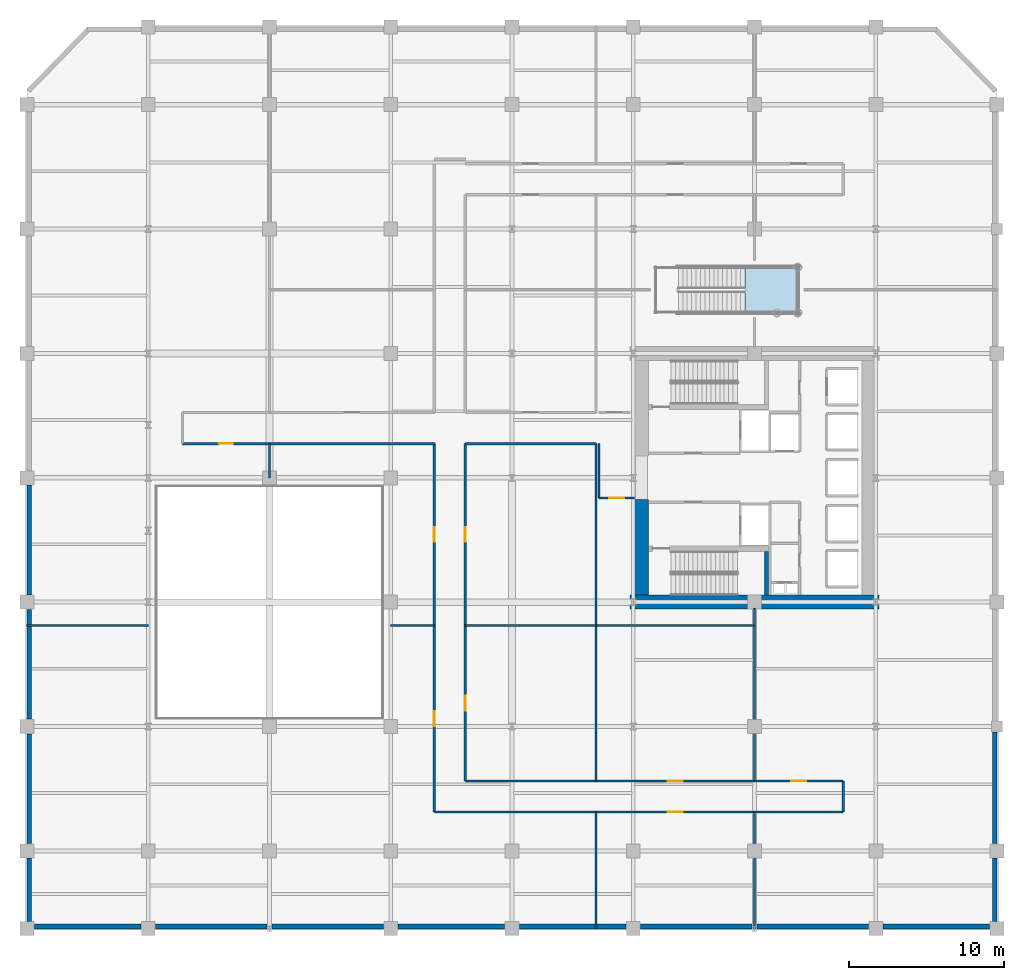
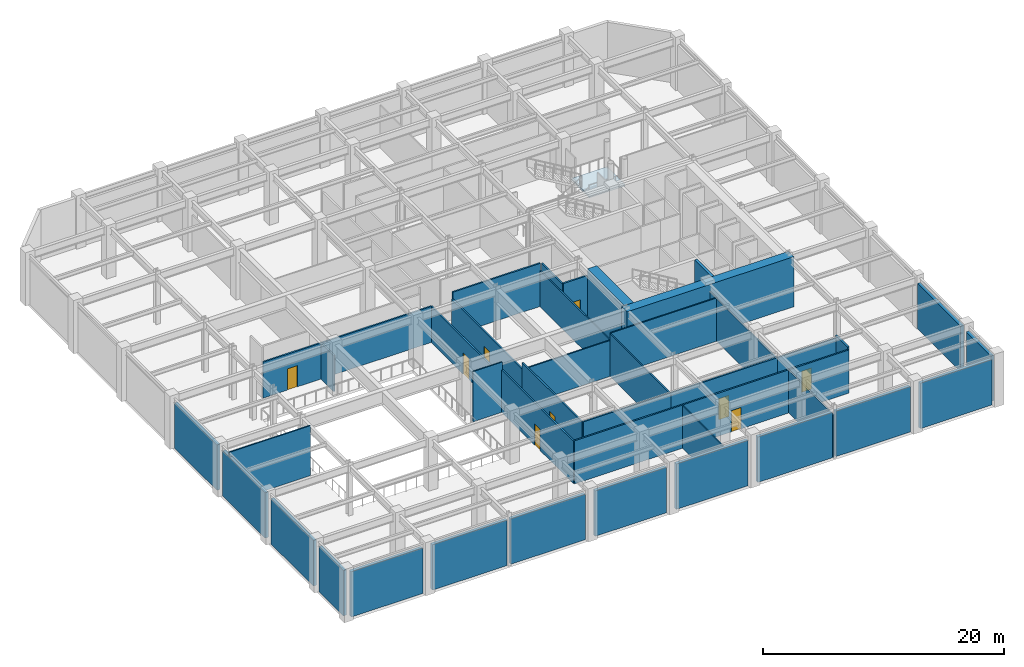
# One storey, part 8 of 13: 44 walls, 9 doors, 1 slab, 9 openings, 1 element without a shape of its own.
"""IFC4 building model written with IfcOpenShell, lengths in metres."""

from ifc_helpers import new_model, si_unit, direction, frame, frame_2d, origin, place, context, subcontext, project, spatial, polyline, rectangle, outline, extrude, material, layer, layer_set, type_object, element, fill, aggregate, save


model = new_model("IFC4")

# Units and contexts
model_context = context("Model", 3, precision=1e-05, world=origin(), true_north=direction((0.0, 1.0)))
body_context = subcontext(model_context, "Body", "Model", "MODEL_VIEW")
ifc_project = project(units=[si_unit("LENGTHUNIT", "METRE"), si_unit("AREAUNIT", "SQUARE_METRE"), si_unit("VOLUMEUNIT", "CUBIC_METRE"), si_unit("PLANEANGLEUNIT", "RADIAN"), si_unit("MASSUNIT", "GRAM", prefix="KILO")], contexts=[model_context])

# Site, building, storey
site_placement = place(None, origin())
site = spatial("IfcSite", under=ifc_project, at=site_placement, CompositionType="ELEMENT")
building_placement = place(site_placement, origin())
building = spatial("IfcBuilding", under=site, at=building_placement, Name="Veymaron Broadcast Tower", CompositionType="ELEMENT")
storey_placement = place(building_placement, frame((0.0, 0.0, 21.60009765625)))
storey = spatial("IfcBuildingStorey", under=building, at=storey_placement, Name="L04", CompositionType="ELEMENT", Elevation=21.60009765625)

# Stair, slab
ifc_material_1 = material(Name="Structural steel ASTM A992 Gr 50", Category="steel")
stair_type = type_object("IfcStairType", Name="STAIR-FEAT-01", PredefinedType="HALF_TURN_STAIR", material=ifc_material_1)
stair_placement = place(storey_placement, origin())
stair = element("IfcStair", 1, at=stair_placement, inside=storey, type_object=stair_type, Name="L04 Waterfront concourse monumental feature stair STF1", PredefinedType="HALF_TURN_STAIR")
ifc_material_2 = material(Name="Concrete C50/60", Category="concrete")
ifc_layer_1 = layer(ifc_material_2, 0.199951171875)
ifc_layer_set_1 = layer_set([ifc_layer_1], Name="Concrete C50/60")
slab_type = type_object("IfcSlabType", Name="SLAB-STAIR-LDG", PredefinedType="LANDING", material=ifc_layer_set_1)
slab_placement = place(storey_placement, frame((0.0, 0.0, 2.5)))
slab = element("IfcSlab", 2, at=slab_placement, type_object=slab_type, Name="STF1 landing 1", PredefinedType="LANDING", context=body_context, shape_type="SweptSolid", body=[
    extrude(outline(polyline([(46.175048828125, 34.60009765625), (49.60009765625, 34.60009765625), (49.60009765625, 37.56005859375), (46.175048828125, 37.56005859375), (46.175048828125, 34.60009765625)])), origin(), (0.0, 0.0, 1.0), 0.199951171875),
])
aggregate(stair, [slab])

# Walls
ifc_material_3 = material(Name="Precast concrete C40/50 with mineral-wool insulation", Category="concrete")
ifc_layer_2 = layer(ifc_material_3, 0.300048828125)
ifc_layer_set_2 = layer_set([ifc_layer_2], Name="Precast concrete C40/50 with mineral-wool insulation")
wall_type_1 = type_object("IfcWallType", Name="WALL-EXT-300", PredefinedType="STANDARD", material=ifc_layer_set_2)
wall_1_placement = place(storey_placement, frame((0.468017578125, -4.860107421875, 0.0), z_axis=(0.0, 0.0, 1.0), x_axis=(1.0, 0.0, 0.0)))
element("IfcWall", 3, at=wall_1_placement, inside=storey, type_object=wall_type_1, Name="L04 notched corner facade pier 1-1", PredefinedType="STANDARD", context=body_context, shape_type="SweptSolid", body=[
    extrude(rectangle(XDim=6.864013671875, YDim=0.300048828125, at=frame_2d((3.43212890625, 0.0))), origin(), (0.0, 0.0, 1.0), 4.60791015625),
])
for number, where, z_axis, x_axis, name in (
    (4, (8.26806640625, -4.860107421875, 0.0), (0.0, 0.0, 1.0), (1.0, 0.0, 0.0), "L04 notched corner facade pier 1-2"),
    (5, (15.771484375, -4.860107421875, 0.0), (0.0, 0.0, 1.0), (1.0, 0.0, 0.0), "L04 notched corner facade pier 1-3"),
):
    element("IfcWall", number, at=place(storey_placement, frame(where, z_axis=z_axis, x_axis=x_axis)), inside=storey, type_object=wall_type_1, Name=name, PredefinedType="STANDARD", context=body_context, shape_type="SweptSolid", body=[
        extrude(rectangle(XDim=7.160400390625, YDim=0.300048828125, at=frame_2d((3.580078125, 0.0))), origin(), (0.0, 0.0, 1.0), 4.60791015625),
    ])
for number, where, z_axis, x_axis, name in (
    (6, (23.867919921875, -4.860107421875, 0.0), (0.0, 0.0, 1.0), (1.0, 0.0, 0.0), "L04 notched corner facade pier 1-4"),
    (7, (31.66796875, -4.860107421875, 0.0), (0.0, 0.0, 1.0), (1.0, 0.0, 0.0), "L04 notched corner facade pier 1-5"),
):
    element("IfcWall", number, at=place(storey_placement, frame(where, z_axis=z_axis, x_axis=x_axis)), inside=storey, type_object=wall_type_1, Name=name, PredefinedType="STANDARD", context=body_context, shape_type="SweptSolid", body=[
        extrude(rectangle(XDim=6.864013671875, YDim=0.300048828125, at=frame_2d((3.43212890625, 0.0))), origin(), (0.0, 0.0, 1.0), 4.60791015625),
    ])
wall_2_placement = place(storey_placement, frame((39.468017578125, -4.860107421875, 0.0), z_axis=(0.0, 0.0, 1.0), x_axis=(1.0, 0.0, 0.0)))
element("IfcWall", 8, at=wall_2_placement, inside=storey, type_object=wall_type_1, Name="L04 notched corner facade pier 1-6", PredefinedType="STANDARD", context=body_context, shape_type="SweptSolid", body=[
    extrude(rectangle(XDim=7.160400390625, YDim=0.300048828125, at=frame_2d((3.580078125, 0.0))), origin(), (0.0, 0.0, 1.0), 4.60791015625),
])
wall_3_placement = place(storey_placement, frame((46.971435546875, -4.860107421875, 0.0), z_axis=(0.0, 0.0, 1.0), x_axis=(1.0, 0.0, 0.0)))
element("IfcWall", 9, at=wall_3_placement, inside=storey, type_object=wall_type_1, Name="L04 notched corner facade pier 1-7", PredefinedType="STANDARD", context=body_context, shape_type="SweptSolid", body=[
    extrude(rectangle(XDim=7.16064453125, YDim=0.300048828125, at=frame_2d((3.580322265625, 0.0))), origin(), (0.0, 0.0, 1.0), 4.60791015625),
])
wall_4_placement = place(storey_placement, frame((55.068115234375, -4.860107421875, 0.0), z_axis=(0.0, 0.0, 1.0), x_axis=(1.0, 0.0, 0.0)))
element("IfcWall", 10, at=wall_4_placement, inside=storey, type_object=wall_type_1, Name="L04 notched corner facade pier 1-8", PredefinedType="STANDARD", context=body_context, shape_type="SweptSolid", body=[
    extrude(rectangle(XDim=6.86376953125, YDim=0.300048828125, at=frame_2d((3.431884765625, 0.0))), origin(), (0.0, 0.0, 1.0), 4.60791015625),
])
wall_5_placement = place(storey_placement, frame((62.260009765625, -4.531982421875, 0.0), z_axis=(0.0, 0.0, 1.0), x_axis=(0.0, 1.0, 0.0)))
element("IfcWall", 11, at=wall_5_placement, inside=storey, type_object=wall_type_1, Name="L04 notched corner facade pier 2-1", PredefinedType="STANDARD", context=body_context, shape_type="SweptSolid", body=[
    extrude(rectangle(XDim=4.06396484375, YDim=0.300048828125, at=frame_2d((2.031982421875, 0.0))), origin(), (0.0, 0.0, 1.0), 4.60791015625),
])
wall_6_placement = place(storey_placement, frame((62.260009765625, 0.468017578125, 0.0), z_axis=(0.0, 0.0, 1.0), x_axis=(0.0, 1.0, 0.0)))
element("IfcWall", 12, at=wall_6_placement, inside=storey, type_object=wall_type_1, Name="L04 notched corner facade pier 2-2", PredefinedType="STANDARD", context=body_context, shape_type="SweptSolid", body=[
    extrude(rectangle(XDim=7.1640625, YDim=0.300048828125, at=frame_2d((3.58203125, 0.0))), origin(), (0.0, 0.0, 1.0), 4.60791015625),
])
for number, where, z_axis, x_axis, name in (
    (13, (0.139892578125, 23.531982421875, 0.0), (0.0, 0.0, 1.0), (0.0, -1.0, 0.0), "L04 notched corner facade pier 6-4"),
    (14, (0.139892578125, 15.531982421875, 0.0), (0.0, 0.0, 1.0), (0.0, -1.0, 0.0), "L04 notched corner facade pier 6-5"),
    (15, (0.139892578125, 7.531982421875, 0.0), (0.0, 0.0, 1.0), (0.0, -1.0, 0.0), "L04 notched corner facade pier 6-6"),
):
    element("IfcWall", number, at=place(storey_placement, frame(where, z_axis=z_axis, x_axis=x_axis)), inside=storey, type_object=wall_type_1, Name=name, PredefinedType="STANDARD", context=body_context, shape_type="SweptSolid", body=[
        extrude(rectangle(XDim=7.06396484375, YDim=0.300048828125, at=frame_2d((3.531982421875, 0.0))), origin(), (0.0, 0.0, 1.0), 4.60791015625),
    ])
wall_7_placement = place(storey_placement, frame((0.139892578125, -0.468017578125, 0.0), z_axis=(0.0, 0.0, 1.0), x_axis=(0.0, -1.0, 0.0)))
element("IfcWall", 16, at=wall_7_placement, inside=storey, type_object=wall_type_1, Name="L04 notched corner facade pier 6-7", PredefinedType="STANDARD", context=body_context, shape_type="SweptSolid", body=[
    extrude(rectangle(XDim=4.06396484375, YDim=0.300048828125, at=frame_2d((2.031982421875, 0.0))), origin(), (0.0, 0.0, 1.0), 4.60791015625),
])

# Wall, opening, door
ifc_material_4 = material(Name="Gypsum fireboard and steel stud framing", Category="steel")
ifc_layer_3 = layer(ifc_material_4, 0.14990234375)
ifc_layer_set_3 = layer_set([ifc_layer_3], Name="Gypsum fireboard and steel stud framing")
wall_type_2 = type_object("IfcWallType", Name="WALL-FIRE-150", PredefinedType="PARTITIONING", material=ifc_layer_set_3)
wall_8_placement = place(storey_placement, frame((36.60009765625, 2.5, 0.0), z_axis=(0.0, 0.0, 1.0), x_axis=(1.0, 0.0, 0.0)))
wall_8 = element("IfcWall", 17, at=wall_8_placement, inside=storey, type_object=wall_type_2, Name="L04 partition IW-L04-P01", PredefinedType="PARTITIONING", context=body_context, shape_type="SweptSolid", body=[
    extrude(rectangle(XDim=10.199951171875, YDim=0.14990234375, at=frame_2d((5.10009765625, 0.0))), origin(), (0.0, 0.0, 1.0), 4.375),
])
opening_1_placement = place(wall_8_placement, frame((4.625, 0.0, 0.0)))
opening_1 = element("IfcOpeningElement", 18, at=opening_1_placement, cuts=wall_8, Name="Opening ID-RM1", PredefinedType="OPENING", context=body_context, shape_type="SweptSolid", body=[
    extrude(rectangle(XDim=0.949951171875, YDim=2.14990234375, at=frame_2d((0.47509765625, 1.074951171875))), frame((0.0, 0.0849609375, 0.0), z_axis=(0.0, -1.0, 0.0), x_axis=(1.0, 0.0, 0.0)), (0.0, 0.0, 1.0), 0.169921875),
])
ifc_material_5 = material(Name="Acoustic solid-core European oak veneer timber", Category="wood")
door_type = type_object("IfcDoorType", Name="DOOR-INT-950", OperationType="NOTDEFINED", PredefinedType="DOOR", material=ifc_material_5)
door_1_placement = place(opening_1_placement, frame((0.949951171875, 0.0, 0.0), z_axis=(0.0, 0.0, 1.0), x_axis=(-1.0, 0.0, 0.0)))
door_1 = element("IfcDoor", 19, at=door_1_placement, inside=storey, type_object=door_type, Name="L04 door DR-L04-P01", OperationType="SINGLE_SWING_RIGHT", OverallHeight=2.14990234375, OverallWidth=0.949951171875, PredefinedType="DOOR", context=body_context, shape_type="SweptSolid", body=[
    extrude(rectangle(XDim=0.949951171875, YDim=2.14990234375, at=frame_2d((0.47509765625, 1.074951171875))), frame((0.0, 0.02490234375, 0.0), z_axis=(0.0, -1.0, 0.0), x_axis=(1.0, 0.0, 0.0)), (0.0, 0.0, 1.0), 0.050048828125),
])
fill(opening_1, door_1)

wall_9_placement = place(storey_placement, frame((26.199951171875, 2.5, 0.0), z_axis=(0.0, 0.0, 1.0), x_axis=(0.0, 1.0, 0.0)))
wall_9 = element("IfcWall", 20, at=wall_9_placement, inside=storey, type_object=wall_type_2, Name="L04 partition IW-L04-P02", PredefinedType="PARTITIONING", context=body_context, shape_type="SweptSolid", body=[
    extrude(rectangle(XDim=12.0, YDim=0.14990234375, at=frame_2d((6.0, 0.0))), origin(), (0.0, 0.0, 1.0), 4.2978515625),
])
opening_2_placement = place(wall_9_placement, frame((5.52490234375, 0.0, 0.0)))
opening_2 = element("IfcOpeningElement", 21, at=opening_2_placement, cuts=wall_9, Name="Opening ID-RM1", PredefinedType="OPENING", context=body_context, shape_type="SweptSolid", body=[
    extrude(rectangle(XDim=0.949951171875, YDim=2.14990234375, at=frame_2d((0.47509765625, 1.074951171875))), frame((0.0, 0.0849609375, 0.0), z_axis=(0.0, -1.0, 0.0), x_axis=(1.0, 0.0, 0.0)), (0.0, 0.0, 1.0), 0.169921875),
])
door_2_placement = place(opening_2_placement, origin())
door_2 = element("IfcDoor", 22, at=door_2_placement, inside=storey, type_object=door_type, Name="L04 door DR-L04-P02", OperationType="SINGLE_SWING_LEFT", OverallHeight=2.14990234375, OverallWidth=0.949951171875, PredefinedType="DOOR", context=body_context, shape_type="SweptSolid", body=[
    extrude(rectangle(XDim=0.949951171875, YDim=2.14990234375, at=frame_2d((0.47509765625, 1.074951171875))), frame((0.0, 0.02490234375, 0.0), z_axis=(0.0, -1.0, 0.0), x_axis=(1.0, 0.0, 0.0)), (0.0, 0.0, 1.0), 0.050048828125),
])
fill(opening_2, door_2)

wall_10_placement = place(storey_placement, frame((28.199951171875, 4.5, 0.0), z_axis=(0.0, 0.0, 1.0), x_axis=(0.0, 1.0, 0.0)))
wall_10 = element("IfcWall", 23, at=wall_10_placement, inside=storey, type_object=wall_type_2, Name="L04 partition IW-L04-P04", PredefinedType="PARTITIONING", context=body_context, shape_type="SweptSolid", body=[
    extrude(rectangle(XDim=10.0, YDim=0.14990234375, at=frame_2d((5.0, 0.0))), origin(), (0.0, 0.0, 1.0), 4.2978515625),
])
opening_3_placement = place(wall_10_placement, frame((4.52490234375, 0.0, 0.0)))
opening_3 = element("IfcOpeningElement", 24, at=opening_3_placement, cuts=wall_10, Name="Opening ID-RM1", PredefinedType="OPENING", context=body_context, shape_type="SweptSolid", body=[
    extrude(rectangle(XDim=0.949951171875, YDim=2.14990234375, at=frame_2d((0.47509765625, 1.074951171875))), frame((0.0, 0.0849609375, 0.0), z_axis=(0.0, -1.0, 0.0), x_axis=(1.0, 0.0, 0.0)), (0.0, 0.0, 1.0), 0.169921875),
])
door_3_placement = place(opening_3_placement, frame((0.949951171875, 0.0, 0.0), z_axis=(0.0, 0.0, 1.0), x_axis=(-1.0, 0.0, 0.0)))
door_3 = element("IfcDoor", 25, at=door_3_placement, inside=storey, type_object=door_type, Name="L04 door DR-L04-P04", OperationType="SINGLE_SWING_LEFT", OverallHeight=2.14990234375, OverallWidth=0.949951171875, PredefinedType="DOOR", context=body_context, shape_type="SweptSolid", body=[
    extrude(rectangle(XDim=0.949951171875, YDim=2.14990234375, at=frame_2d((0.47509765625, 1.074951171875))), frame((0.0, 0.02490234375, 0.0), z_axis=(0.0, -1.0, 0.0), x_axis=(1.0, 0.0, 0.0)), (0.0, 0.0, 1.0), 0.050048828125),
])
fill(opening_3, door_3)

wall_11_placement = place(storey_placement, frame((36.60009765625, 4.5, 0.0), z_axis=(0.0, 0.0, 1.0), x_axis=(1.0, 0.0, 0.0)))
wall_11 = element("IfcWall", 26, at=wall_11_placement, inside=storey, type_object=wall_type_2, Name="L04 partition IW-L04-P06", PredefinedType="PARTITIONING", context=body_context, shape_type="SweptSolid", body=[
    extrude(rectangle(XDim=10.199951171875, YDim=0.14990234375, at=frame_2d((5.10009765625, 0.0))), origin(), (0.0, 0.0, 1.0), 4.375),
])
opening_4_placement = place(wall_11_placement, frame((4.625, 0.0, 0.0)))
opening_4 = element("IfcOpeningElement", 27, at=opening_4_placement, cuts=wall_11, Name="Opening ID-RM1", PredefinedType="OPENING", context=body_context, shape_type="SweptSolid", body=[
    extrude(rectangle(XDim=0.949951171875, YDim=2.14990234375, at=frame_2d((0.47509765625, 1.074951171875))), frame((0.0, 0.0849609375, 0.0), z_axis=(0.0, -1.0, 0.0), x_axis=(1.0, 0.0, 0.0)), (0.0, 0.0, 1.0), 0.169921875),
])
door_4_placement = place(opening_4_placement, origin())
door_4 = element("IfcDoor", 28, at=door_4_placement, inside=storey, type_object=door_type, Name="L04 door DR-L04-P06", OperationType="SINGLE_SWING_LEFT", OverallHeight=2.14990234375, OverallWidth=0.949951171875, PredefinedType="DOOR", context=body_context, shape_type="SweptSolid", body=[
    extrude(rectangle(XDim=0.949951171875, YDim=2.14990234375, at=frame_2d((0.47509765625, 1.074951171875))), frame((0.0, 0.02490234375, 0.0), z_axis=(0.0, -1.0, 0.0), x_axis=(1.0, 0.0, 0.0)), (0.0, 0.0, 1.0), 0.050048828125),
])
fill(opening_4, door_4)

wall_12_placement = place(storey_placement, frame((46.800048828125, 4.5, 0.0), z_axis=(0.0, 0.0, 1.0), x_axis=(1.0, 0.0, 0.0)))
wall_12 = element("IfcWall", 29, at=wall_12_placement, inside=storey, type_object=wall_type_2, Name="L04 partition IW-L04-P07", PredefinedType="PARTITIONING", context=body_context, shape_type="SweptSolid", body=[
    extrude(rectangle(XDim=5.699951171875, YDim=0.14990234375, at=frame_2d((2.85009765625, 0.0))), origin(), (0.0, 0.0, 1.0), 4.375),
])
opening_5_placement = place(wall_12_placement, frame((2.375, 0.0, 0.0)))
opening_5 = element("IfcOpeningElement", 30, at=opening_5_placement, cuts=wall_12, Name="Opening ID-RM1", PredefinedType="OPENING", context=body_context, shape_type="SweptSolid", body=[
    extrude(rectangle(XDim=0.949951171875, YDim=2.14990234375, at=frame_2d((0.47509765625, 1.074951171875))), frame((0.0, 0.0849609375, 0.0), z_axis=(0.0, -1.0, 0.0), x_axis=(1.0, 0.0, 0.0)), (0.0, 0.0, 1.0), 0.169921875),
])
door_5_placement = place(opening_5_placement, origin())
door_5 = element("IfcDoor", 31, at=door_5_placement, inside=storey, type_object=door_type, Name="L04 door DR-L04-P07", OperationType="SINGLE_SWING_RIGHT", OverallHeight=2.14990234375, OverallWidth=0.949951171875, PredefinedType="DOOR", context=body_context, shape_type="SweptSolid", body=[
    extrude(rectangle(XDim=0.949951171875, YDim=2.14990234375, at=frame_2d((0.47509765625, 1.074951171875))), frame((0.0, 0.02490234375, 0.0), z_axis=(0.0, -1.0, 0.0), x_axis=(1.0, 0.0, 0.0)), (0.0, 0.0, 1.0), 0.050048828125),
])
fill(opening_5, door_5)

wall_13_placement = place(storey_placement, frame((36.800048828125, 22.699951171875, 0.0), z_axis=(0.0, 0.0, 1.0), x_axis=(1.0, 0.0, 0.0)))
wall_13 = element("IfcWall", 32, at=wall_13_placement, inside=storey, type_object=wall_type_2, Name="L04 partition IW-L04-P11", PredefinedType="PARTITIONING", context=body_context, shape_type="SweptSolid", body=[
    extrude(rectangle(XDim=2.280029296875, YDim=0.14990234375, at=frame_2d((1.14013671875, 0.0))), origin(), (0.0, 0.0, 1.0), 4.375),
])
opening_6_placement = place(wall_13_placement, frame((0.6650390625, 0.0, 0.0)))
opening_6 = element("IfcOpeningElement", 33, at=opening_6_placement, cuts=wall_13, Name="Opening ID-RM1", PredefinedType="OPENING", context=body_context, shape_type="SweptSolid", body=[
    extrude(rectangle(XDim=0.949951171875, YDim=2.14990234375, at=frame_2d((0.47509765625, 1.074951171875))), frame((0.0, 0.0849609375, 0.0), z_axis=(0.0, -1.0, 0.0), x_axis=(1.0, 0.0, 0.0)), (0.0, 0.0, 1.0), 0.169921875),
])
door_6_placement = place(opening_6_placement, frame((0.949951171875, 0.0, 0.0), z_axis=(0.0, 0.0, 1.0), x_axis=(-1.0, 0.0, 0.0)))
door_6 = element("IfcDoor", 34, at=door_6_placement, inside=storey, type_object=door_type, Name="L04 door DR-L04-P11", OperationType="SINGLE_SWING_RIGHT", OverallHeight=2.14990234375, OverallWidth=0.949951171875, PredefinedType="DOOR", context=body_context, shape_type="SweptSolid", body=[
    extrude(rectangle(XDim=0.949951171875, YDim=2.14990234375, at=frame_2d((0.47509765625, 1.074951171875))), frame((0.0, 0.02490234375, 0.0), z_axis=(0.0, -1.0, 0.0), x_axis=(1.0, 0.0, 0.0)), (0.0, 0.0, 1.0), 0.050048828125),
])
fill(opening_6, door_6)

wall_14_placement = place(storey_placement, frame((28.199951171875, 14.5, 0.0), z_axis=(0.0, 0.0, 1.0), x_axis=(0.0, 1.0, 0.0)))
wall_14 = element("IfcWall", 35, at=wall_14_placement, inside=storey, type_object=wall_type_2, Name="L04 partition IW-L04-P12", PredefinedType="PARTITIONING", context=body_context, shape_type="SweptSolid", body=[
    extrude(rectangle(XDim=11.699951171875, YDim=0.14990234375, at=frame_2d((5.85009765625, 0.0))), origin(), (0.0, 0.0, 1.0), 3.64794921875),
])
opening_7_placement = place(wall_14_placement, frame((5.375, 0.0, 0.0)))
opening_7 = element("IfcOpeningElement", 36, at=opening_7_placement, cuts=wall_14, Name="Opening ID-RM1", PredefinedType="OPENING", context=body_context, shape_type="SweptSolid", body=[
    extrude(rectangle(XDim=0.949951171875, YDim=2.14990234375, at=frame_2d((0.47509765625, 1.074951171875))), frame((0.0, 0.0849609375, 0.0), z_axis=(0.0, -1.0, 0.0), x_axis=(1.0, 0.0, 0.0)), (0.0, 0.0, 1.0), 0.169921875),
])
door_7_placement = place(opening_7_placement, frame((0.949951171875, 0.0, 0.0), z_axis=(0.0, 0.0, 1.0), x_axis=(-1.0, 0.0, 0.0)))
door_7 = element("IfcDoor", 37, at=door_7_placement, inside=storey, type_object=door_type, Name="L04 door DR-L04-P12", OperationType="SINGLE_SWING_LEFT", OverallHeight=2.14990234375, OverallWidth=0.949951171875, PredefinedType="DOOR", context=body_context, shape_type="SweptSolid", body=[
    extrude(rectangle(XDim=0.949951171875, YDim=2.14990234375, at=frame_2d((0.47509765625, 1.074951171875))), frame((0.0, 0.02490234375, 0.0), z_axis=(0.0, -1.0, 0.0), x_axis=(1.0, 0.0, 0.0)), (0.0, 0.0, 1.0), 0.050048828125),
])
fill(opening_7, door_7)

wall_15_placement = place(storey_placement, frame((26.199951171875, 14.5, 0.0), z_axis=(0.0, 0.0, 1.0), x_axis=(0.0, 1.0, 0.0)))
wall_15 = element("IfcWall", 38, at=wall_15_placement, inside=storey, type_object=wall_type_2, Name="L04 partition IW-L04-P14", PredefinedType="PARTITIONING", context=body_context, shape_type="SweptSolid", body=[
    extrude(rectangle(XDim=11.699951171875, YDim=0.14990234375, at=frame_2d((5.85009765625, 0.0))), origin(), (0.0, 0.0, 1.0), 3.64794921875),
])
opening_8_placement = place(wall_15_placement, frame((5.375, 0.0, 0.0)))
opening_8 = element("IfcOpeningElement", 39, at=opening_8_placement, cuts=wall_15, Name="Opening ID-RM1", PredefinedType="OPENING", context=body_context, shape_type="SweptSolid", body=[
    extrude(rectangle(XDim=0.949951171875, YDim=2.14990234375, at=frame_2d((0.47509765625, 1.074951171875))), frame((0.0, 0.0849609375, 0.0), z_axis=(0.0, -1.0, 0.0), x_axis=(1.0, 0.0, 0.0)), (0.0, 0.0, 1.0), 0.169921875),
])
door_8_placement = place(opening_8_placement, origin())
door_8 = element("IfcDoor", 40, at=door_8_placement, inside=storey, type_object=door_type, Name="L04 door DR-L04-P14", OperationType="SINGLE_SWING_LEFT", OverallHeight=2.14990234375, OverallWidth=0.949951171875, PredefinedType="DOOR", context=body_context, shape_type="SweptSolid", body=[
    extrude(rectangle(XDim=0.949951171875, YDim=2.14990234375, at=frame_2d((0.47509765625, 1.074951171875))), frame((0.0, 0.02490234375, 0.0), z_axis=(0.0, -1.0, 0.0), x_axis=(1.0, 0.0, 0.0)), (0.0, 0.0, 1.0), 0.050048828125),
])
fill(opening_8, door_8)

wall_16_placement = place(storey_placement, frame((10.0, 26.199951171875, 0.0), z_axis=(0.0, 0.0, 1.0), x_axis=(1.0, 0.0, 0.0)))
wall_16 = element("IfcWall", 41, at=wall_16_placement, inside=storey, type_object=wall_type_2, Name="L04 partition IW-L04-P21", PredefinedType="PARTITIONING", context=body_context, shape_type="SweptSolid", body=[
    extrude(rectangle(XDim=5.60009765625, YDim=0.14990234375, at=frame_2d((2.800048828125, 0.0))), origin(), (0.0, 0.0, 1.0), 3.64794921875),
])
opening_9_placement = place(wall_16_placement, frame((2.324951171875, 0.0, 0.0)))
opening_9 = element("IfcOpeningElement", 42, at=opening_9_placement, cuts=wall_16, Name="Opening ID-RM1", PredefinedType="OPENING", context=body_context, shape_type="SweptSolid", body=[
    extrude(rectangle(XDim=0.949951171875, YDim=2.14990234375, at=frame_2d((0.47509765625, 1.074951171875))), frame((0.0, 0.0849609375, 0.0), z_axis=(0.0, -1.0, 0.0), x_axis=(1.0, 0.0, 0.0)), (0.0, 0.0, 1.0), 0.169921875),
])
door_9_placement = place(opening_9_placement, frame((0.949951171875, 0.0, 0.0), z_axis=(0.0, 0.0, 1.0), x_axis=(-1.0, 0.0, 0.0)))
door_9 = element("IfcDoor", 43, at=door_9_placement, inside=storey, type_object=door_type, Name="L04 door DR-L04-P21", OperationType="SINGLE_SWING_RIGHT", OverallHeight=2.14990234375, OverallWidth=0.949951171875, PredefinedType="DOOR", context=body_context, shape_type="SweptSolid", body=[
    extrude(rectangle(XDim=0.949951171875, YDim=2.14990234375, at=frame_2d((0.47509765625, 1.074951171875))), frame((0.0, 0.02490234375, 0.0), z_axis=(0.0, -1.0, 0.0), x_axis=(1.0, 0.0, 0.0)), (0.0, 0.0, 1.0), 0.050048828125),
])
fill(opening_9, door_9)

# Walls
wall_17_placement = place(storey_placement, frame((26.199951171875, 2.5, 0.0), z_axis=(0.0, 0.0, 1.0), x_axis=(1.0, 0.0, 0.0)))
element("IfcWall", 44, at=wall_17_placement, inside=storey, type_object=wall_type_2, Name="L04 partition IW-L04-P03", PredefinedType="PARTITIONING", context=body_context, shape_type="SweptSolid", body=[
    extrude(rectangle(XDim=10.400146484375, YDim=0.14990234375, at=frame_2d((5.2001953125, 0.0))), origin(), (0.0, 0.0, 1.0), 4.375),
])
wall_18_placement = place(storey_placement, frame((28.199951171875, 4.5, 0.0), z_axis=(0.0, 0.0, 1.0), x_axis=(1.0, 0.0, 0.0)))
element("IfcWall", 45, at=wall_18_placement, inside=storey, type_object=wall_type_2, Name="L04 partition IW-L04-P05", PredefinedType="PARTITIONING", context=body_context, shape_type="SweptSolid", body=[
    extrude(rectangle(XDim=8.400146484375, YDim=0.14990234375, at=frame_2d((4.2001953125, 0.0))), origin(), (0.0, 0.0, 1.0), 4.375),
])
wall_19_placement = place(storey_placement, frame((46.800048828125, 2.5, 0.0), z_axis=(0.0, 0.0, 1.0), x_axis=(1.0, 0.0, 0.0)))
element("IfcWall", 46, at=wall_19_placement, inside=storey, type_object=wall_type_2, Name="L04 partition IW-L04-P08", PredefinedType="PARTITIONING", context=body_context, shape_type="SweptSolid", body=[
    extrude(rectangle(XDim=5.699951171875, YDim=0.14990234375, at=frame_2d((2.85009765625, 0.0))), origin(), (0.0, 0.0, 1.0), 4.375),
])
wall_20_placement = place(storey_placement, frame((52.5, 2.5, 0.0), z_axis=(0.0, 0.0, 1.0), x_axis=(0.0, 1.0, 0.0)))
element("IfcWall", 47, at=wall_20_placement, inside=storey, type_object=wall_type_2, Name="L04 partition IW-L04-P09", PredefinedType="PARTITIONING", context=body_context, shape_type="SweptSolid", body=[
    extrude(rectangle(XDim=2.0, YDim=0.14990234375, at=frame_2d((1.0, 0.0))), origin(), (0.0, 0.0, 1.0), 4.660888671875),
])
wall_21_placement = place(storey_placement, frame((36.800048828125, 22.699951171875, 0.0), z_axis=(0.0, 0.0, 1.0), x_axis=(0.0, 1.0, 0.0)))
element("IfcWall", 48, at=wall_21_placement, inside=storey, type_object=wall_type_2, Name="L04 partition IW-L04-P10", PredefinedType="PARTITIONING", context=body_context, shape_type="SweptSolid", body=[
    extrude(rectangle(XDim=3.5, YDim=0.14990234375, at=frame_2d((1.75, 0.0))), origin(), (0.0, 0.0, 1.0), 4.2978515625),
])
wall_22_placement = place(storey_placement, frame((28.199951171875, 26.199951171875, 0.0), z_axis=(0.0, 0.0, 1.0), x_axis=(1.0, 0.0, 0.0)))
element("IfcWall", 49, at=wall_22_placement, inside=storey, type_object=wall_type_2, Name="L04 partition IW-L04-P13", PredefinedType="PARTITIONING", context=body_context, shape_type="SweptSolid", body=[
    extrude(rectangle(XDim=8.400146484375, YDim=0.14990234375, at=frame_2d((4.2001953125, 0.0))), origin(), (0.0, 0.0, 1.0), 4.375),
])
wall_23_placement = place(storey_placement, frame((15.60009765625, 26.199951171875, 0.0), z_axis=(0.0, 0.0, 1.0), x_axis=(1.0, 0.0, 0.0)))
element("IfcWall", 50, at=wall_23_placement, inside=storey, type_object=wall_type_2, Name="L04 partition IW-L04-P15", PredefinedType="PARTITIONING", context=body_context, shape_type="SweptSolid", body=[
    extrude(rectangle(XDim=10.599853515625, YDim=0.14990234375, at=frame_2d((5.2998046875, 0.0))), origin(), (0.0, 0.0, 1.0), 3.64794921875),
])
ifc_material_6 = material(Name="Acoustic gypsum board and galvanized stud", Category="gypsum")
ifc_layer_4 = layer(ifc_material_6, 0.1201171875)
ifc_layer_set_4 = layer_set([ifc_layer_4], Name="Acoustic gypsum board and galvanized stud")
wall_type_3 = type_object("IfcWallType", Name="WALL-PART-120", PredefinedType="PARTITIONING", material=ifc_layer_set_4)
for number, where, z_axis, x_axis, name in (
    (51, (36.60009765625, -5.0, 0.0), (0.0, 0.0, 1.0), (0.0, 1.0, 0.0), "L04 partition IW-L04-P34"),
    (52, (46.800048828125, -5.0, 0.0), (0.0, 0.0, 1.0), (0.0, 1.0, 0.0), "L04 partition IW-L04-P35"),
):
    element("IfcWall", number, at=place(storey_placement, frame(where, z_axis=z_axis, x_axis=x_axis)), inside=storey, type_object=wall_type_3, Name=name, PredefinedType="PARTITIONING", context=body_context, shape_type="SweptSolid", body=[
        extrude(rectangle(XDim=7.5, YDim=0.1201171875, at=frame_2d((3.75, 0.0))), origin(), (0.0, 0.0, 1.0), 4.2978515625),
    ])
wall_24_placement = place(storey_placement, frame((23.39990234375, 14.5, 0.0), z_axis=(0.0, 0.0, 1.0), x_axis=(1.0, 0.0, 0.0)))
element("IfcWall", 53, at=wall_24_placement, inside=storey, type_object=wall_type_3, Name="L04 partition IW-L04-P36", PredefinedType="PARTITIONING", context=body_context, shape_type="SweptSolid", body=[
    extrude(rectangle(XDim=2.800048828125, YDim=0.1201171875, at=frame_2d((1.39990234375, 0.0))), origin(), (0.0, 0.0, 1.0), 5.079833984375),
])
wall_25_placement = place(storey_placement, frame((0.0, 14.5, 0.0), z_axis=(0.0, 0.0, 1.0), x_axis=(1.0, 0.0, 0.0)))
element("IfcWall", 54, at=wall_25_placement, inside=storey, type_object=wall_type_3, Name="L04 partition IW-L04-P37", PredefinedType="PARTITIONING", context=body_context, shape_type="SweptSolid", body=[
    extrude(rectangle(XDim=7.800048828125, YDim=0.1201171875, at=frame_2d((3.89990234375, 0.0))), origin(), (0.0, 0.0, 1.0), 5.079833984375),
])
wall_26_placement = place(storey_placement, frame((36.60009765625, 4.5, 0.0), z_axis=(0.0, 0.0, 1.0), x_axis=(0.0, 1.0, 0.0)))
element("IfcWall", 55, at=wall_26_placement, inside=storey, type_object=wall_type_3, Name="L04 partition IW-L04-P38", PredefinedType="PARTITIONING", context=body_context, shape_type="SweptSolid", body=[
    extrude(rectangle(XDim=10.0, YDim=0.1201171875, at=frame_2d((5.0, 0.0))), origin(), (0.0, 0.0, 1.0), 4.2978515625),
])
wall_27_placement = place(storey_placement, frame((28.199951171875, 14.5, 0.0), z_axis=(0.0, 0.0, 1.0), x_axis=(1.0, 0.0, 0.0)))
element("IfcWall", 56, at=wall_27_placement, inside=storey, type_object=wall_type_3, Name="L04 partition IW-L04-P39", PredefinedType="PARTITIONING", context=body_context, shape_type="SweptSolid", body=[
    extrude(rectangle(XDim=8.400146484375, YDim=0.1201171875, at=frame_2d((4.2001953125, 0.0))), origin(), (0.0, 0.0, 1.0), 3.64794921875),
])
wall_28_placement = place(storey_placement, frame((46.800048828125, 4.5, 0.0), z_axis=(0.0, 0.0, 1.0), x_axis=(0.0, 1.0, 0.0)))
element("IfcWall", 57, at=wall_28_placement, inside=storey, type_object=wall_type_3, Name="L04 partition IW-L04-P40", PredefinedType="PARTITIONING", context=body_context, shape_type="SweptSolid", body=[
    extrude(rectangle(XDim=10.0, YDim=0.1201171875, at=frame_2d((5.0, 0.0))), origin(), (0.0, 0.0, 1.0), 4.2978515625),
])
wall_29_placement = place(storey_placement, frame((36.60009765625, 14.5, 0.0), z_axis=(0.0, 0.0, 1.0), x_axis=(1.0, 0.0, 0.0)))
element("IfcWall", 58, at=wall_29_placement, inside=storey, type_object=wall_type_3, Name="L04 partition IW-L04-P41", PredefinedType="PARTITIONING", context=body_context, shape_type="SweptSolid", body=[
    extrude(rectangle(XDim=10.199951171875, YDim=0.1201171875, at=frame_2d((5.10009765625, 0.0))), origin(), (0.0, 0.0, 1.0), 4.375),
])
wall_30_placement = place(storey_placement, frame((46.800048828125, 14.5, 0.0), z_axis=(0.0, 0.0, 1.0), x_axis=(0.0, 1.0, 0.0)))
element("IfcWall", 59, at=wall_30_placement, inside=storey, type_object=wall_type_3, Name="L04 partition IW-L04-P42", PredefinedType="PARTITIONING", context=body_context, shape_type="SweptSolid", body=[
    extrude(rectangle(XDim=1.10009765625, YDim=0.1201171875, at=frame_2d((0.550048828125, 0.0))), origin(), (0.0, 0.0, 1.0), 4.375),
])
wall_31_placement = place(storey_placement, frame((36.60009765625, 14.5, 0.0), z_axis=(0.0, 0.0, 1.0), x_axis=(0.0, 1.0, 0.0)))
element("IfcWall", 60, at=wall_31_placement, inside=storey, type_object=wall_type_3, Name="L04 partition IW-L04-P45", PredefinedType="PARTITIONING", context=body_context, shape_type="SweptSolid", body=[
    extrude(rectangle(XDim=11.699951171875, YDim=0.1201171875, at=frame_2d((5.85009765625, 0.0))), origin(), (0.0, 0.0, 1.0), 3.64794921875),
])
wall_32_placement = place(storey_placement, frame((15.60009765625, 24.0, 0.0), z_axis=(0.0, 0.0, 1.0), x_axis=(0.0, 1.0, 0.0)))
element("IfcWall", 61, at=wall_32_placement, inside=storey, type_object=wall_type_3, Name="L04 partition IW-L04-P46", PredefinedType="PARTITIONING", context=body_context, shape_type="SweptSolid", body=[
    extrude(rectangle(XDim=2.199951171875, YDim=0.1201171875, at=frame_2d((1.10009765625, 0.0))), origin(), (0.0, 0.0, 1.0), 3.64794921875),
])
ifc_layer_5 = layer(ifc_material_2, 0.25)
ifc_layer_set_5 = layer_set([ifc_layer_5], Name="Concrete C50/60")
wall_type_4 = type_object("IfcWallType", Name="WALL-SHEAR-250", PredefinedType="SHEAR", material=ifc_layer_set_5)
wall_33_placement = place(storey_placement, frame((47.56494140625, 16.449951171875, 0.0), z_axis=(0.0, 0.0, 1.0), x_axis=(0.0, 1.0, 0.0)))
element("IfcWall", 62, at=wall_33_placement, inside=storey, type_object=wall_type_4, Name="L04 Core Wall south stair east shear", PredefinedType="SHEAR", context=body_context, shape_type="SweptSolid", body=[
    extrude(rectangle(XDim=2.820068359375, YDim=0.25, at=frame_2d((1.41015625, 0.0))), origin(), (0.0, 0.0, 1.0), 5.079833984375),
])
ifc_material_7 = material(Name="Concrete C70/85", Category="concrete")
ifc_layer_6 = layer(ifc_material_7, 0.89990234375)
ifc_layer_set_6 = layer_set([ifc_layer_6], Name="Concrete C70/85")
wall_type_5 = type_object("IfcWallType", Name="WALL-SHEAR-900", PredefinedType="SHEAR", material=ifc_layer_set_6)
wall_34_placement = place(storey_placement, frame((38.800048828125, 16.0, 0.0), z_axis=(0.0, 0.0, 1.0), x_axis=(1.0, 0.0, 0.0)))
element("IfcWall", 63, at=wall_34_placement, inside=storey, type_object=wall_type_5, Name="L04 Core Wall south shear", PredefinedType="SHEAR", context=body_context, shape_type="SweptSolid", body=[
    extrude(rectangle(XDim=16.0, YDim=0.89990234375, at=frame_2d((8.0, 0.0))), origin(), (0.0, 0.0, 1.0), 5.079833984375),
])
wall_35_placement = place(storey_placement, frame((39.530029296875, 16.449951171875, 0.0), z_axis=(0.0, 0.0, 1.0), x_axis=(0.0, 1.0, 0.0)))
element("IfcWall", 64, at=wall_35_placement, inside=storey, type_object=wall_type_5, Name="L04 Core Wall west-south shear", PredefinedType="SHEAR", context=body_context, shape_type="SweptSolid", body=[
    extrude(rectangle(XDim=6.150146484375, YDim=0.89990234375, at=frame_2d((3.0751953125, 0.0))), origin(), (0.0, 0.0, 1.0), 5.079833984375),
])

save(model, "model.ifc")
